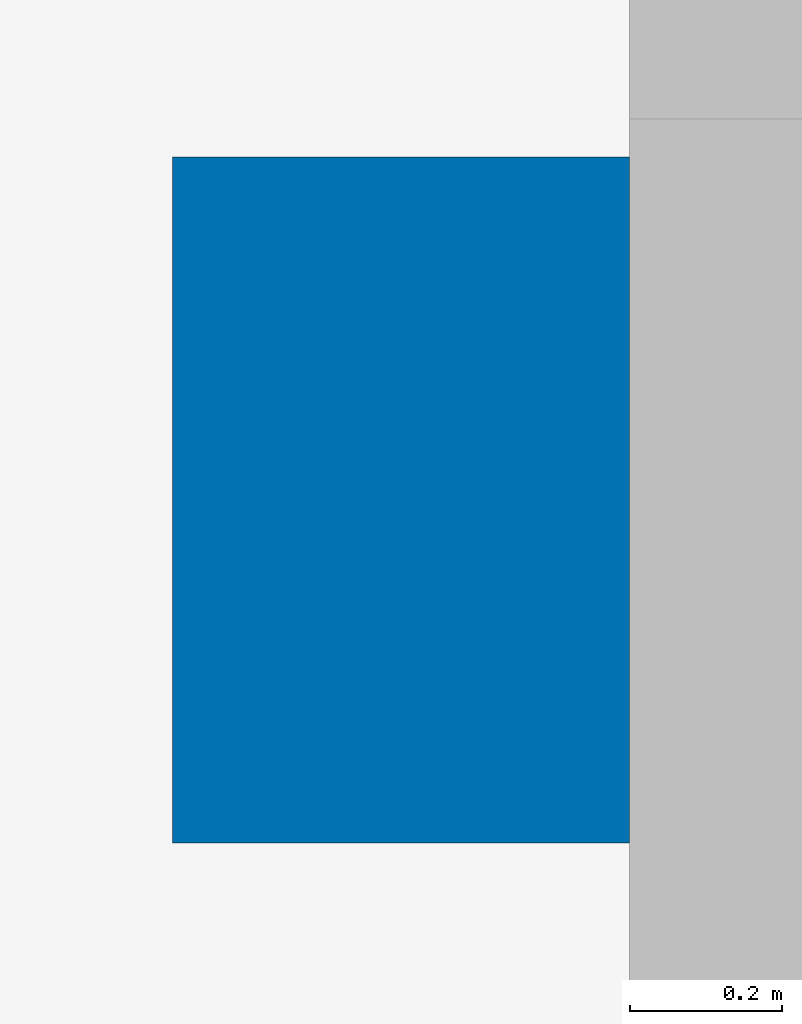
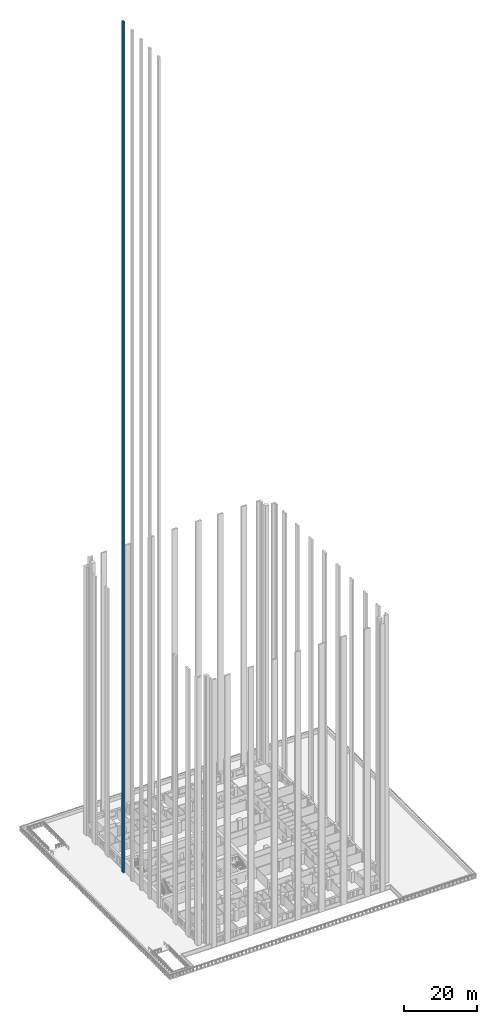
# One storey, part 13 of 27: 1 wall.
"""IFC4 building model written with IfcOpenShell, lengths in metres."""

from ifc_helpers import new_model, si_unit, direction, frame, frame_2d, origin, place, context, subcontext, project, spatial, rectangle, extrude, material, layer, layer_set, type_object, element, save


model = new_model("IFC4")

# Units and contexts
model_context = context("Model", 3, precision=1e-05, world=origin(), true_north=direction((0.0, 1.0)))
body_context = subcontext(model_context, "Body", "Model", "MODEL_VIEW")
ifc_project = project(units=[si_unit("LENGTHUNIT", "METRE"), si_unit("AREAUNIT", "SQUARE_METRE"), si_unit("VOLUMEUNIT", "CUBIC_METRE"), si_unit("PLANEANGLEUNIT", "RADIAN"), si_unit("MASSUNIT", "GRAM", prefix="KILO")], contexts=[model_context])

# Site, building, storey
site_placement = place(None, origin())
site = spatial("IfcSite", under=ifc_project, at=site_placement, CompositionType="ELEMENT")
building_placement = place(site_placement, origin())
building = spatial("IfcBuilding", under=site, at=building_placement, Name="Tamorin Gate", CompositionType="ELEMENT")
storey_placement = place(building_placement, frame((0.0, 0.0, 34.0)))
storey = spatial("IfcBuildingStorey", under=building, at=storey_placement, Name="L06", CompositionType="ELEMENT", Elevation=34.0)

# Wall
ifc_material = material(Name="Precast concrete C40/50", Category="concrete")
ifc_layer = layer(ifc_material, 0.60009765625)
ifc_layer_set = layer_set([ifc_layer], Name="Spine rib 900x600")
wall_type = type_object("IfcWallType", Name="Spine rib 900x600", PredefinedType="SOLIDWALL", material=ifc_layer_set)
wall_placement = place(storey_placement, frame((29.699951171875, 80.550048828125, 0.0), z_axis=(0.0, 0.0, 1.0), x_axis=(0.0, 1.0, 0.0)))
element("IfcWall", 1, at=wall_placement, inside=storey, type_object=wall_type, Name="Spine rib", PredefinedType="SOLIDWALL", context=body_context, shape_type="SweptSolid", body=[
    extrude(rectangle(XDim=0.89990234375, YDim=0.60009765625, at=frame_2d((0.449951171875, 0.0))), origin(), (0.0, 0.0, 1.0), 286.199951171875),
])

save(model, "model.ifc")
